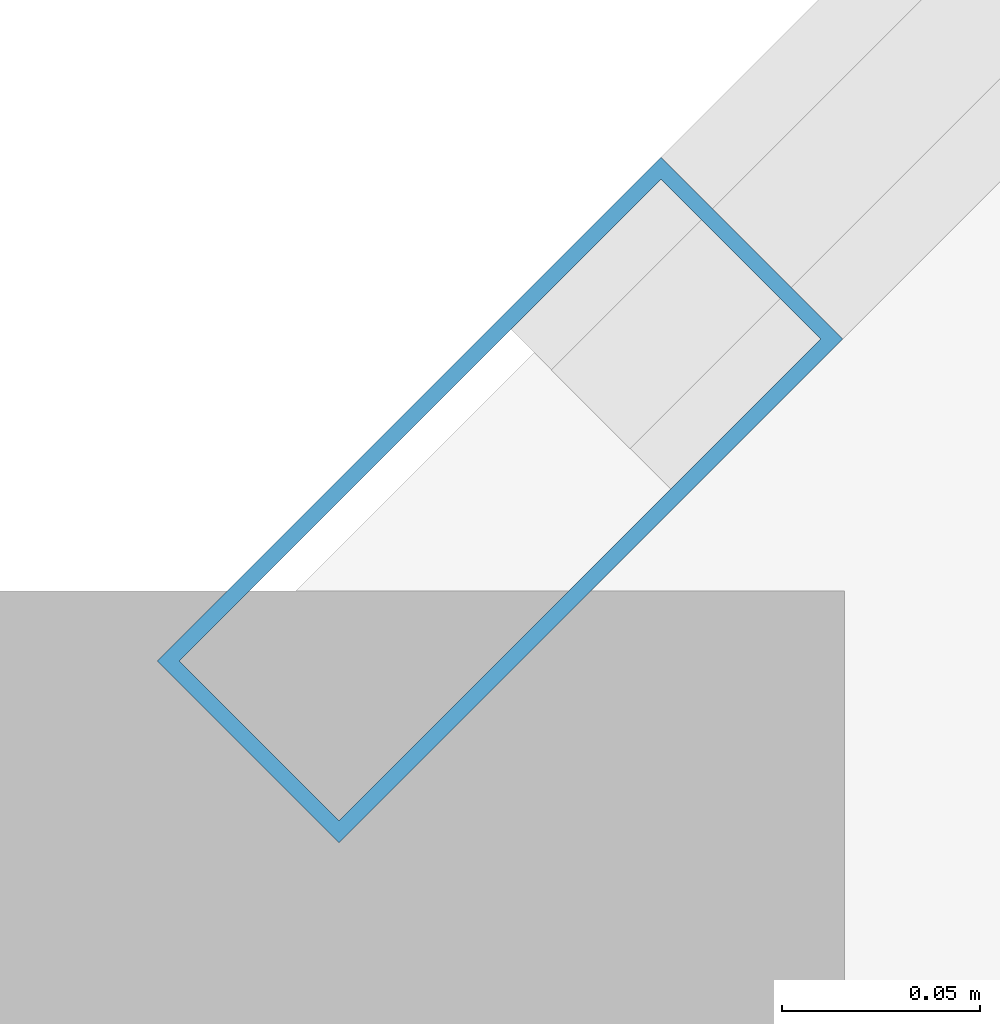
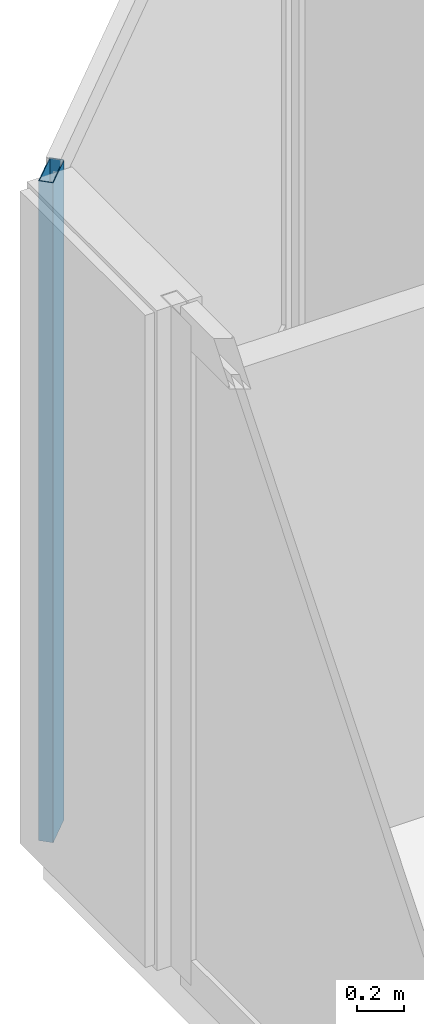
# One storey, part 5 of 28: 1 member, 1 element without a shape of its own.
"""IFC4 building model written with IfcOpenShell, lengths in metres."""

from ifc_helpers import new_model, si_unit, direction, frame, origin, origin_2d, place, context, subcontext, project, spatial, hollow_rectangle, extrude, material, layer, layer_set, material_profile, profile_set, type_object, element, aggregate, save


model = new_model("IFC4")

# Units and contexts
model_context = context("Model", 3, precision=1e-05, world=origin(), true_north=direction((0.0, 1.0)))
body_context = subcontext(model_context, "Body", "Model", "MODEL_VIEW")
ifc_project = project(units=[si_unit("LENGTHUNIT", "METRE"), si_unit("AREAUNIT", "SQUARE_METRE"), si_unit("VOLUMEUNIT", "CUBIC_METRE"), si_unit("PLANEANGLEUNIT", "RADIAN"), si_unit("MASSUNIT", "GRAM", prefix="KILO")], contexts=[model_context])

# Site, building, storey
site_placement = place(None, origin())
site = spatial("IfcSite", under=ifc_project, at=site_placement, CompositionType="ELEMENT")
building_placement = place(site_placement, origin())
building = spatial("IfcBuilding", under=site, at=building_placement, Name="Tanjung Sevakor Pilgrim Tower", CompositionType="ELEMENT")
storey_placement = place(building_placement, frame((0.0, 0.0, 257.070068359375)))
storey = spatial("IfcBuildingStorey", under=building, at=storey_placement, Name="L72", CompositionType="ELEMENT", Elevation=257.070068359375)

# Curtain wall, member
ifc_material_1 = material(Name="Aluminium 6063-T6 and Low-E Glass", Category="aluminium")
ifc_layer = layer(ifc_material_1, 0.179931640625)
ifc_layer_set = layer_set([ifc_layer], Name="CW-SYS-CHAM")
curtain_wall_type = type_object("IfcCurtainWallType", Name="CW-SYS-CHAM", PredefinedType="NOTDEFINED", material=ifc_layer_set)
curtain_wall_placement = place(storey_placement, origin())
curtain_wall = element("IfcCurtainWall", 1, at=curtain_wall_placement, inside=storey, type_object=curtain_wall_type, Name="L72 Curtain Wall CW-CHM-L72-WEST-5", PredefinedType="NOTDEFINED")
ifc_material_2 = material(Name="Aluminium 6063-T6", Category="aluminium")
ifc_material_profile = material_profile(ifc_material_2, hollow_rectangle(XDim=0.06494140625, YDim=0.179931640625, WallThickness=0.00390625, at=origin_2d()))
ifc_profile_set = profile_set([ifc_material_profile], Name="Aluminium 6063-T6")
member_type = type_object("IfcMemberType", Name="TYPE-CWM-1", PredefinedType="MULLION", material=ifc_profile_set)
member_placement = place(storey_placement, frame((22.133056640625, 43.577392578125, 0.0), z_axis=(0.0, 0.0, 1.0), x_axis=(0.707106781187, -0.707106781187, 0.0)))
member = element("IfcMember", 2, at=member_placement, type_object=member_type, Name="CW-CHM mullion 2", PredefinedType="MULLION", context=body_context, shape_type="SweptSolid", body=[
    extrude(hollow_rectangle(XDim=0.06494140625, YDim=0.179931640625, WallThickness=0.00390625, at=origin_2d()), origin(), (0.0, 0.0, 1.0), 3.409912109375),
])
aggregate(curtain_wall, [member])

save(model, "model.ifc")
